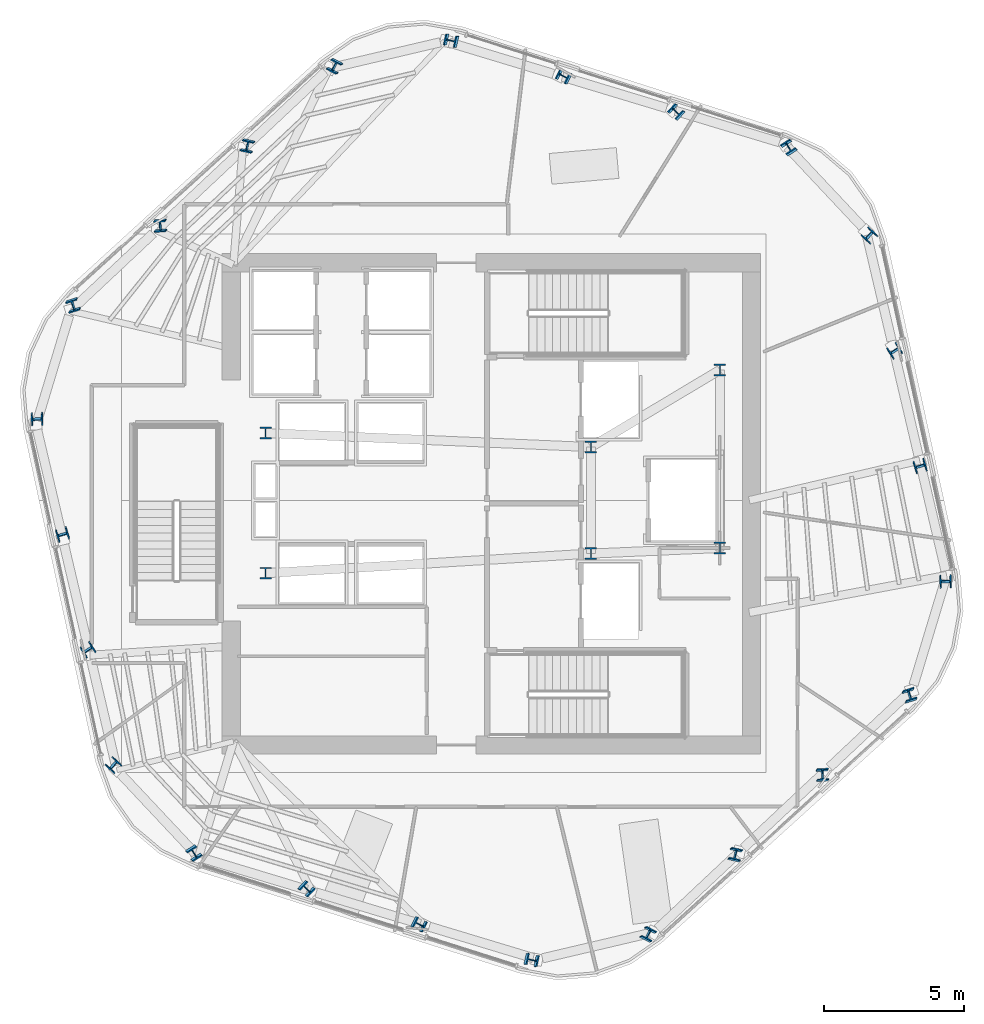
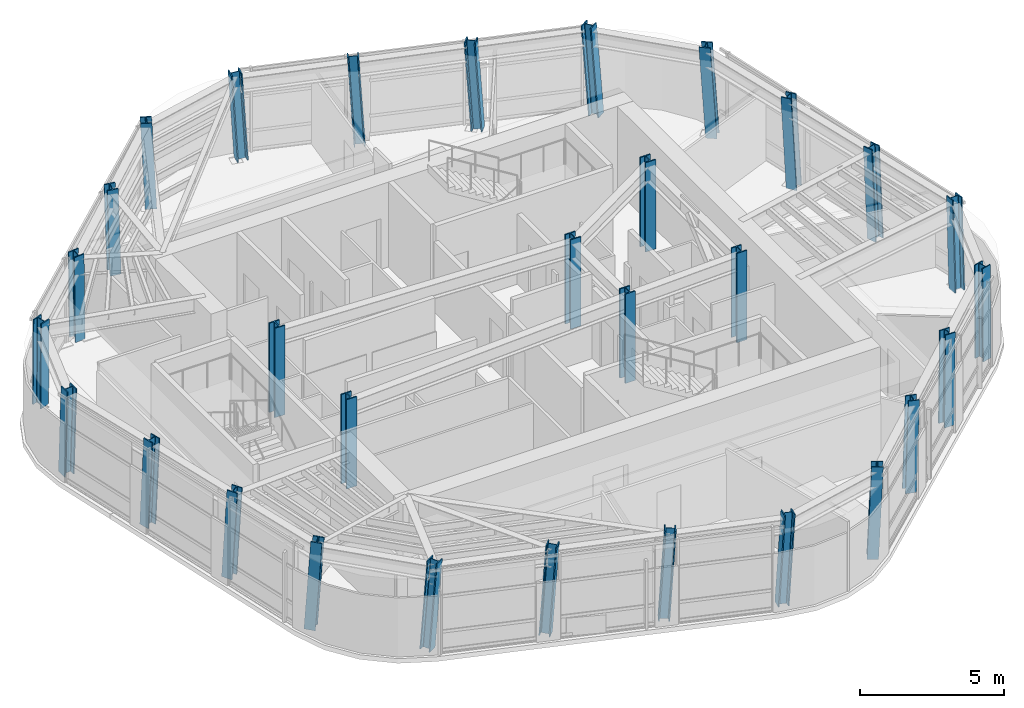
# One storey, part 1 of 15: 30 columns.
"""IFC4 building model written with IfcOpenShell, lengths in metres."""

from ifc_helpers import new_model, si_unit, direction, frame, origin, origin_2d, place, context, subcontext, project, spatial, i_section, extrude, material, material_profile, profile_set, type_object, element, save


model = new_model("IFC4")

# Units and contexts
model_context = context("Model", 3, precision=1e-05, world=origin(), true_north=direction((0.0, 1.0)))
body_context = subcontext(model_context, "Body", "Model", "MODEL_VIEW")
ifc_project = project(units=[si_unit("LENGTHUNIT", "METRE"), si_unit("AREAUNIT", "SQUARE_METRE"), si_unit("VOLUMEUNIT", "CUBIC_METRE"), si_unit("PLANEANGLEUNIT", "RADIAN"), si_unit("MASSUNIT", "GRAM", prefix="KILO")], contexts=[model_context])

# Site, building, storey
site_placement = place(None, origin())
site = spatial("IfcSite", under=ifc_project, at=site_placement, CompositionType="ELEMENT")
building_placement = place(site_placement, origin())
building = spatial("IfcBuilding", under=site, at=building_placement, Name="Valkerne Bourse Tower", CompositionType="ELEMENT")
storey_placement = place(building_placement, frame((0.0, 0.0, 205.60009765625)))
storey = spatial("IfcBuildingStorey", under=building, at=storey_placement, Name="L52", CompositionType="ELEMENT", Elevation=205.60009765625)

# Columns
ifc_material = material(Name="Steel ASTM A913 Grade 65", Category="steel")
ifc_material_profile_1 = material_profile(ifc_material, i_section(OverallWidth=0.40380859375, OverallDepth=0.406494140625, WebThickness=0.027099609375, FlangeThickness=0.043701171875, FilletRadius=0.025390625, at=origin_2d()), Name="W14X233")
ifc_profile_set_1 = profile_set([ifc_material_profile_1], Name="Steel ASTM A913 Grade 65")
column_type_1 = type_object("IfcColumnType", Name="COL-W14X233", PredefinedType="COLUMN", material=ifc_profile_set_1)
column_1_placement = place(storey_placement, frame((57.439697265625, 39.558349609375, 0.010009765625), z_axis=(-0.05237328279, 0.043741031998, 0.997669164287), x_axis=(0.843483705363, 0.536753979246, 0.020746193617)))
element("IfcColumn", 1, at=column_1_placement, inside=storey, type_object=column_type_1, Name="L52 Helical Perimeter Tube Column F1-C1", PredefinedType="COLUMN", context=body_context, shape_type="SweptSolid", body=[
    extrude(i_section(OverallWidth=0.40380859375, OverallDepth=0.406494140625, WebThickness=0.027099609375, FlangeThickness=0.043701171875, FilletRadius=0.025390625, at=origin_2d()), origin(), (0.0, 0.0, 1.0), 3.789794921875),
])
for number, where, z_axis, x_axis, name in (
    (2, (53.42724609375, 40.839111328125, 0.010009765625), (-0.057608885046, 0.027000137398, 0.99797405224), (0.67903147301, 0.733854274794, 0.019343268272), "L52 Helical Perimeter Tube Column F1-C2"),
    (3, (49.41455078125, 42.11962890625, 0.010009765625), (-0.062764110437, 0.01031032615, 0.997975131762), (0.453829603595, 0.890878626998, 0.019338119299), "L52 Helical Perimeter Tube Column F1-C3"),
):
    element("IfcColumn", number, at=place(storey_placement, frame(where, z_axis=z_axis, x_axis=x_axis)), inside=storey, type_object=column_type_1, Name=name, PredefinedType="COLUMN", context=body_context, shape_type="SweptSolid", body=[
        extrude(i_section(OverallWidth=0.40380859375, OverallDepth=0.406494140625, WebThickness=0.027099609375, FlangeThickness=0.043701171875, FilletRadius=0.025390625, at=origin_2d()), origin(), (0.0, 0.0, 1.0), 3.78857421875),
    ])
for number, where, z_axis, x_axis, name in (
    (4, (45.402099609375, 43.400146484375, 0.010009765625), (-0.06796278275, -0.00631313053, 0.997667882887), (0.213909445197, 0.976633046934, 0.020751888893), "L52 Helical Perimeter Tube Column F1-C4"),
    (5, (41.243896484375, 42.49365234375, 0.010009765625), (-0.063969109685, -0.023577738313, 0.997673314899), (-0.885806409004, 0.461781044526, -0.045883250587), "L52 Helical Perimeter Tube Column F2-C1"),
):
    element("IfcColumn", number, at=place(storey_placement, frame(where, z_axis=z_axis, x_axis=x_axis)), inside=storey, type_object=column_type_1, Name=name, PredefinedType="COLUMN", context=body_context, shape_type="SweptSolid", body=[
        extrude(i_section(OverallWidth=0.40380859375, OverallDepth=0.406494140625, WebThickness=0.027099609375, FlangeThickness=0.043701171875, FilletRadius=0.025390625, at=origin_2d()), origin(), (0.0, 0.0, 1.0), 3.789794921875),
    ])
for number, where, z_axis, x_axis, name in (
    (6, (38.128662109375, 39.65869140625, 0.010009765625), (-0.052196034803, -0.036343905715, 0.997975297524), (-0.973834860274, 0.223189069153, -0.042805424021), "L52 Helical Perimeter Tube Column F2-C2"),
    (7, (35.013427734375, 36.82421875, 0.010009765625), (-0.040339042517, -0.049231674893, 0.997972446431), (-0.997792152601, -0.050753702653, -0.04283552117), "L52 Helical Perimeter Tube Column F2-C3"),
):
    element("IfcColumn", number, at=place(storey_placement, frame(where, z_axis=z_axis, x_axis=x_axis)), inside=storey, type_object=column_type_1, Name=name, PredefinedType="COLUMN", context=body_context, shape_type="SweptSolid", body=[
        extrude(i_section(OverallWidth=0.40380859375, OverallDepth=0.406494140625, WebThickness=0.027099609375, FlangeThickness=0.043701171875, FilletRadius=0.025390625, at=origin_2d()), origin(), (0.0, 0.0, 1.0), 3.78857421875),
    ])
for number, where, z_axis, x_axis, name in (
    (8, (31.898193359375, 33.989501953125, 0.010009765625), (-0.028537868222, -0.06203604311, 0.997665835554), (-0.952552152719, -0.300885965077, -0.045956853362), "L52 Helical Perimeter Tube Column F2-C4"),
    (9, (30.604248046875, 29.935302734375, 0.010009765625), (-0.011659963926, -0.067254156568, 0.997667742119), (0.043386232847, -0.996829973673, -0.066690616928), "L52 Helical Perimeter Tube Column F3-C1"),
):
    element("IfcColumn", number, at=place(storey_placement, frame(where, z_axis=z_axis, x_axis=x_axis)), inside=storey, type_object=column_type_1, Name=name, PredefinedType="COLUMN", context=body_context, shape_type="SweptSolid", body=[
        extrude(i_section(OverallWidth=0.40380859375, OverallDepth=0.406494140625, WebThickness=0.027099609375, FlangeThickness=0.043701171875, FilletRadius=0.025390625, at=origin_2d()), origin(), (0.0, 0.0, 1.0), 3.789794921875),
    ])
for number, where, z_axis, x_axis, name in (
    (10, (31.50146484375, 25.81982421875, 0.010009765625), (0.005412909586, -0.063408369432, 0.997972985153), (0.295194014418, -0.953411960402, -0.062178192435), "L52 Helical Perimeter Tube Column F3-C2"),
    (11, (32.398681640625, 21.70458984375, 0.010009765625), (0.022424931254, -0.059542058847, 0.997973880263), (0.543026827827, -0.837411154784, -0.062164476213), "L52 Helical Perimeter Tube Column F3-C3"),
):
    element("IfcColumn", number, at=place(storey_placement, frame(where, z_axis=z_axis, x_axis=x_axis)), inside=storey, type_object=column_type_1, Name=name, PredefinedType="COLUMN", context=body_context, shape_type="SweptSolid", body=[
        extrude(i_section(OverallWidth=0.40380859375, OverallDepth=0.406494140625, WebThickness=0.027099609375, FlangeThickness=0.043701171875, FilletRadius=0.025390625, at=origin_2d()), origin(), (0.0, 0.0, 1.0), 3.78857421875),
    ])
for number, where, z_axis, x_axis, name in (
    (12, (33.296142578125, 17.589111328125, 0.010009765625), (0.039425127232, -0.055594583008, 0.997674747442), (0.73764130873, -0.671901038053, -0.066590500212), "L52 Helical Perimeter Tube Column F3-C4"),
    (13, (36.16015625, 14.441650390625, 0.010009765625), (0.05237328279, -0.043741031998, 0.997669164287), (0.843483705363, 0.536753979246, -0.020746193617), "L52 Helical Perimeter Tube Column F4-C1"),
):
    element("IfcColumn", number, at=place(storey_placement, frame(where, z_axis=z_axis, x_axis=x_axis)), inside=storey, type_object=column_type_1, Name=name, PredefinedType="COLUMN", context=body_context, shape_type="SweptSolid", body=[
        extrude(i_section(OverallWidth=0.40380859375, OverallDepth=0.406494140625, WebThickness=0.027099609375, FlangeThickness=0.043701171875, FilletRadius=0.025390625, at=origin_2d()), origin(), (0.0, 0.0, 1.0), 3.789794921875),
    ])
for number, where, z_axis, x_axis, name in (
    (14, (40.1728515625, 13.160888671875, 0.010009765625), (0.057608885046, -0.027000137398, 0.99797405224), (0.67903147301, 0.733854274794, -0.019343268272), "L52 Helical Perimeter Tube Column F4-C2"),
    (15, (44.185302734375, 11.88037109375, 0.010009765625), (0.062764110437, -0.01031032615, 0.997975131762), (0.453829603595, 0.890878626998, -0.019338119299), "L52 Helical Perimeter Tube Column F4-C3"),
):
    element("IfcColumn", number, at=place(storey_placement, frame(where, z_axis=z_axis, x_axis=x_axis)), inside=storey, type_object=column_type_1, Name=name, PredefinedType="COLUMN", context=body_context, shape_type="SweptSolid", body=[
        extrude(i_section(OverallWidth=0.40380859375, OverallDepth=0.406494140625, WebThickness=0.027099609375, FlangeThickness=0.043701171875, FilletRadius=0.025390625, at=origin_2d()), origin(), (0.0, 0.0, 1.0), 3.78857421875),
    ])
for number, where, z_axis, x_axis, name in (
    (16, (48.197998046875, 10.599853515625, 0.010009765625), (0.06789866018, 0.006313158157, 0.997672248777), (0.21382543059, 0.976651856903, -0.020732477938), "L52 Helical Perimeter Tube Column F4-C4"),
    (17, (52.35595703125, 11.50634765625, 0.010009765625), (0.064033265729, 0.023577641103, 0.997669201549), (-0.885652994869, 0.462071187614, 0.045923743929), "L52 Helical Perimeter Tube Column F5-C1"),
):
    element("IfcColumn", number, at=place(storey_placement, frame(where, z_axis=z_axis, x_axis=x_axis)), inside=storey, type_object=column_type_1, Name=name, PredefinedType="COLUMN", context=body_context, shape_type="SweptSolid", body=[
        extrude(i_section(OverallWidth=0.40380859375, OverallDepth=0.406494140625, WebThickness=0.027099609375, FlangeThickness=0.043701171875, FilletRadius=0.025390625, at=origin_2d()), origin(), (0.0, 0.0, 1.0), 3.789794921875),
    ])
for number, where, z_axis, x_axis, name in (
    (18, (55.47119140625, 14.34130859375, 0.010009765625), (0.052196034803, 0.036343905715, 0.997975297524), (-0.973834860274, 0.223189069153, 0.042805424021), "L52 Helical Perimeter Tube Column F5-C2"),
    (19, (58.586669921875, 17.17578125, 0.010009765625), (0.040339042517, 0.049231674893, 0.997972446431), (-0.997792152601, -0.050753702653, 0.04283552117), "L52 Helical Perimeter Tube Column F5-C3"),
):
    element("IfcColumn", number, at=place(storey_placement, frame(where, z_axis=z_axis, x_axis=x_axis)), inside=storey, type_object=column_type_1, Name=name, PredefinedType="COLUMN", context=body_context, shape_type="SweptSolid", body=[
        extrude(i_section(OverallWidth=0.40380859375, OverallDepth=0.406494140625, WebThickness=0.027099609375, FlangeThickness=0.043701171875, FilletRadius=0.025390625, at=origin_2d()), origin(), (0.0, 0.0, 1.0), 3.78857421875),
    ])
for number, where, z_axis, x_axis, name in (
    (20, (61.701904296875, 20.010498046875, 0.010009765625), (0.028473500941, 0.062036157028, 0.997667667595), (-0.952294340143, -0.301703684299, 0.04593883556), "L52 Helical Perimeter Tube Column F5-C4"),
    (21, (62.995849609375, 24.064697265625, 0.010009765625), (0.011595552922, 0.067254206945, 0.99766848943), (0.044313194887, -0.996789910582, 0.066679943925), "L52 Helical Perimeter Tube Column F6-C1"),
):
    element("IfcColumn", number, at=place(storey_placement, frame(where, z_axis=z_axis, x_axis=x_axis)), inside=storey, type_object=column_type_1, Name=name, PredefinedType="COLUMN", context=body_context, shape_type="SweptSolid", body=[
        extrude(i_section(OverallWidth=0.40380859375, OverallDepth=0.406494140625, WebThickness=0.027099609375, FlangeThickness=0.043701171875, FilletRadius=0.025390625, at=origin_2d()), origin(), (0.0, 0.0, 1.0), 3.789794921875),
    ])
for number, where, z_axis, x_axis, name in (
    (22, (62.098388671875, 28.18017578125, 0.010009765625), (-0.00534847204, 0.063408391417, 0.997973331179), (0.294231905331, -0.953709661048, 0.062172890464), "L52 Helical Perimeter Tube Column F6-C2"),
    (23, (61.201171875, 32.29541015625, 0.010009765625), (-0.022424931254, 0.059542058847, 0.997973880263), (0.543026827827, -0.837411154784, 0.062164476213), "L52 Helical Perimeter Tube Column F6-C3"),
):
    element("IfcColumn", number, at=place(storey_placement, frame(where, z_axis=z_axis, x_axis=x_axis)), inside=storey, type_object=column_type_1, Name=name, PredefinedType="COLUMN", context=body_context, shape_type="SweptSolid", body=[
        extrude(i_section(OverallWidth=0.40380859375, OverallDepth=0.406494140625, WebThickness=0.027099609375, FlangeThickness=0.043701171875, FilletRadius=0.025390625, at=origin_2d()), origin(), (0.0, 0.0, 1.0), 3.78857421875),
    ])
column_2_placement = place(storey_placement, frame((60.303955078125, 36.410888671875, 0.010009765625), z_axis=(-0.039425127232, 0.055594583008, 0.997674747442), x_axis=(0.73764130873, -0.671901038053, 0.066590500212)))
element("IfcColumn", 24, at=column_2_placement, inside=storey, type_object=column_type_1, Name="L52 Helical Perimeter Tube Column F6-C4", PredefinedType="COLUMN", context=body_context, shape_type="SweptSolid", body=[
    extrude(i_section(OverallWidth=0.40380859375, OverallDepth=0.406494140625, WebThickness=0.027099609375, FlangeThickness=0.043701171875, FilletRadius=0.025390625, at=origin_2d()), origin(), (0.0, 0.0, 1.0), 3.789794921875),
])
ifc_material_profile_2 = material_profile(ifc_material, i_section(OverallWidth=0.408935546875, OverallDepth=0.42431640625, WebThickness=0.03271484375, FlangeThickness=0.052490234375, FilletRadius=0.025390625, at=origin_2d()), Name="W14X283")
ifc_profile_set_2 = profile_set([ifc_material_profile_2], Name="Steel ASTM A913 Grade 65")
column_type_2 = type_object("IfcColumnType", Name="COL-W14X283", PredefinedType="COLUMN", material=ifc_profile_set_2)
for number, where, z_axis, x_axis, name in (
    (25, (38.75, 24.39990234375, 0.0048828125), (0.0, 0.0, 1.0), (1.0, 0.0, 0.0), "L52 Core Frame Column CC-SW"),
    (26, (38.75, 29.39990234375, 0.0048828125), (0.0, 0.0, 1.0), (1.0, 0.0, 0.0), "L52 Core Frame Column CC-NW"),
    (27, (50.35009765625, 25.10009765625, 0.0048828125), (0.0, 0.0, 1.0), (1.0, 0.0, 0.0), "L52 Core Frame Column CC-CE1"),
    (28, (50.35009765625, 28.89990234375, 0.0048828125), (0.0, 0.0, 1.0), (1.0, 0.0, 0.0), "L52 Core Frame Column CC-CE2"),
    (29, (54.949951171875, 25.300048828125, 0.0048828125), (0.0, 0.0, 1.0), (1.0, 0.0, 0.0), "L52 Core Frame Column CC-SE"),
    (30, (54.949951171875, 31.64990234375, 0.0048828125), (0.0, 0.0, 1.0), (1.0, 0.0, 0.0), "L52 Core Frame Column CC-NE"),
):
    element("IfcColumn", number, at=place(storey_placement, frame(where, z_axis=z_axis, x_axis=x_axis)), inside=storey, type_object=column_type_2, Name=name, PredefinedType="COLUMN", context=body_context, shape_type="SweptSolid", body=[
        extrude(i_section(OverallWidth=0.408935546875, OverallDepth=0.42431640625, WebThickness=0.03271484375, FlangeThickness=0.052490234375, FilletRadius=0.025390625, at=origin_2d()), origin(), (0.0, 0.0, 1.0), 3.794921875),
    ])

save(model, "model.ifc")
